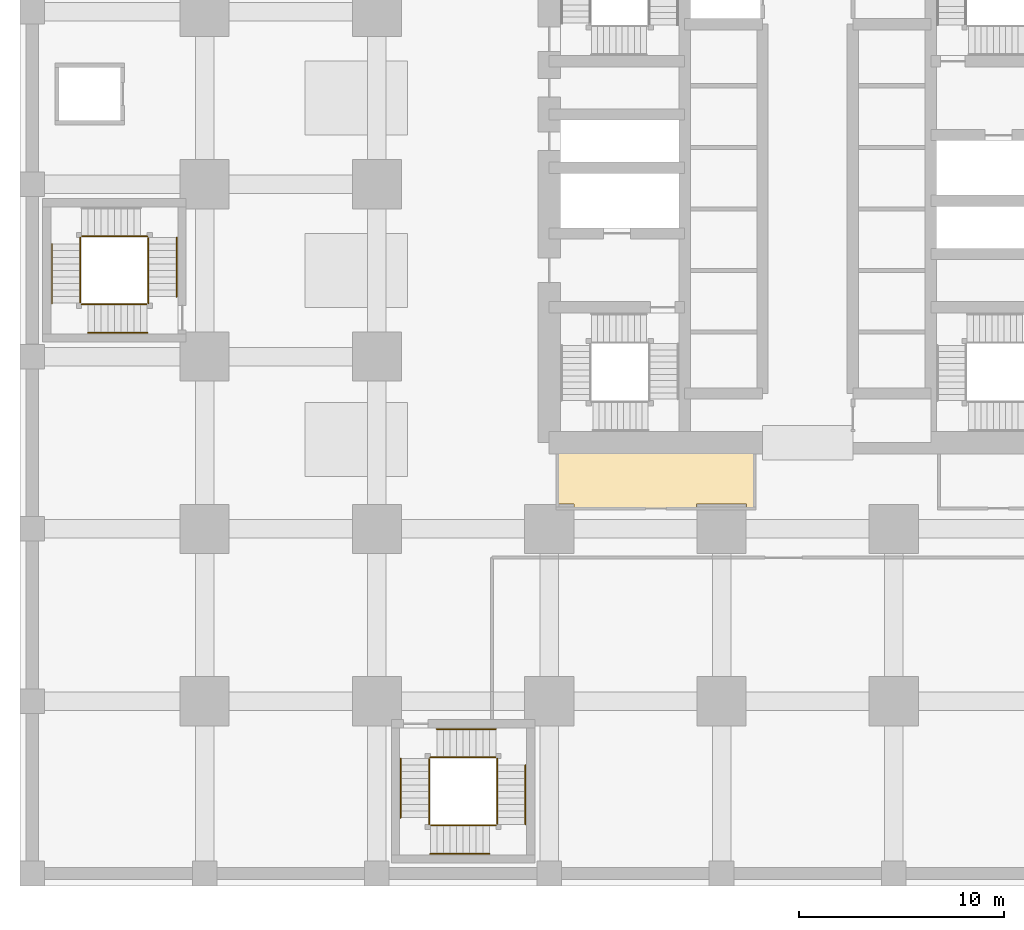
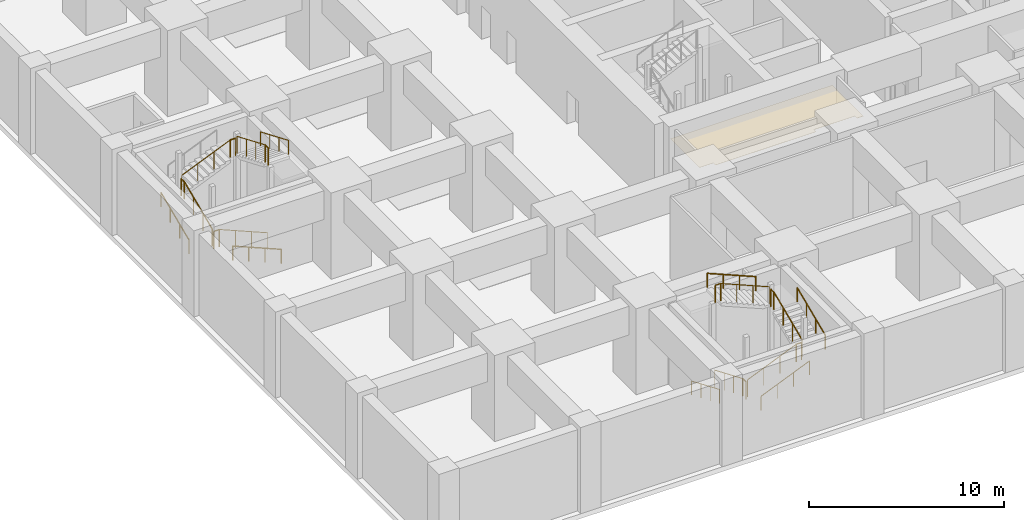
# One storey, part 13 of 20: 23 railings, 1 covering.
"""IFC4 building model written with IfcOpenShell, lengths in metres."""

import ifcopenshell
import ifcopenshell.guid

model = None  # the IFC model being written
_history = None  # IfcOwnerHistory: only IFC2X3 demands one
_inside = {}  # id of a spatial element -> (the spatial element, [elements in it])
_under = {}  # id of a project, library or spatial element -> (it, [spatial elements below it])
_declared = {}  # id of a project -> (the project, [libraries it declares])
_typed = {}  # id of a type object -> (the type object, [elements of that type])
_made_of = {}  # id of a material, layer set ... -> (it, [elements and type objects made of it])


def new_model(schema):
    """Start an empty IFC model of exactly this schema.

    Asked for "IFC4X3", IfcOpenShell would pick the latest addendum, in which some entities
    have other attributes; the version numbers below select the first issue.
    IFC2X3 requires an IfcOwnerHistory on every rooted entity: one is made here for all.
    """
    global model, _history
    if schema == "IFC4X3":
        model = ifcopenshell.file(schema_version=(4, 3, 0, 0))
    else:
        model = ifcopenshell.file(schema=schema)
    _inside.clear()
    _under.clear()
    _declared.clear()
    _typed.clear()
    _made_of.clear()
    _history = None
    if model.schema == "IFC2X3":
        org = make("IfcOrganization", Name="unknown")
        user = make(
            "IfcPersonAndOrganization",
            ThePerson=make("IfcPerson", FamilyName="unknown"),
            TheOrganization=org,
        )
        app = make(
            "IfcApplication",
            ApplicationDeveloper=org,
            Version="unknown",
            ApplicationFullName="unknown",
            ApplicationIdentifier="unknown",
        )
        _history = make(
            "IfcOwnerHistory",
            OwningUser=user,
            OwningApplication=app,
            ChangeAction="ADDED",
            CreationDate=0,
        )
    return model


def make(cls, **values):
    """One entity of the class cls with the attributes given. An attribute that is None is left unset."""
    return model.create_entity(
        cls, **{name: value for name, value in values.items() if value is not None}
    )


def rooted(cls, **values):
    """An entity with a GlobalId (a new one), such as an element, a storey or a relation."""
    return make(cls, GlobalId=ifcopenshell.guid.new(), OwnerHistory=_history, **values)


def si_unit(unit_type, name, prefix=None):
    """IfcSIUnit, for example si_unit("LENGTHUNIT", "METRE", prefix="MILLI")."""
    return make("IfcSIUnit", UnitType=unit_type, Prefix=prefix, Name=name)


def assignment(units):
    """IfcUnitAssignment: the units of a project."""
    return None if units is None else make("IfcUnitAssignment", Units=units)


def point(xyz):
    """IfcCartesianPoint."""
    return None if xyz is None else make("IfcCartesianPoint", Coordinates=xyz)


def direction(xyz):
    """IfcDirection."""
    return None if xyz is None else make("IfcDirection", DirectionRatios=xyz)


def frame(location, z_axis=None, x_axis=None):
    """IfcAxis2Placement3D, a coordinate frame: its origin and axes. An axis left out is left unset."""
    return make(
        "IfcAxis2Placement3D",
        Location=point(location),
        Axis=direction(z_axis),
        RefDirection=direction(x_axis),
    )


def frame_2d(location, x_axis=None):
    """IfcAxis2Placement2D, a coordinate frame in the plane: its origin and x axis."""
    return make(
        "IfcAxis2Placement2D", Location=point(location), RefDirection=direction(x_axis)
    )


def origin():
    """The frame at (0, 0, 0) with its axes left unset."""
    return frame((0.0, 0.0, 0.0))


def origin_2d():
    """The frame at (0, 0) in the plane with its x axis left unset."""
    return frame_2d((0.0, 0.0))


def place(relative_to, where):
    """IfcLocalPlacement: puts the frame where relative to a parent placement (None: the world)."""
    return make(
        "IfcLocalPlacement", PlacementRelTo=relative_to, RelativePlacement=where
    )


def context(
    kind, dimensions, precision=None, world=None, true_north=None, identifier=None
):
    """IfcGeometricRepresentationContext, for example the 3D "Model" context."""
    return make(
        "IfcGeometricRepresentationContext",
        ContextIdentifier=identifier,
        ContextType=kind,
        CoordinateSpaceDimension=dimensions,
        Precision=precision,
        WorldCoordinateSystem=world,
        TrueNorth=true_north,
    )


def subcontext(parent, identifier, kind, view, scale=None):
    """IfcGeometricRepresentationSubContext, for example "Body" below "Model"."""
    return make(
        "IfcGeometricRepresentationSubContext",
        ContextIdentifier=identifier,
        ContextType=kind,
        ParentContext=parent,
        TargetScale=scale,
        TargetView=view,
    )


def project(units=None, contexts=None):
    """IfcProject with its units and contexts."""
    return rooted(
        "IfcProject",
        Name="project",
        RepresentationContexts=contexts,
        UnitsInContext=assignment(units),
    )


def spatial(cls, under=None, at=None, **own):
    """A site, building, storey or space (cls), placed at a placement, below another one or the project."""
    s = rooted(cls, ObjectPlacement=at, **own)
    if under is not None:
        _under.setdefault(under.id(), (under, []))[1].append(s)
    return s


def polyline(points):
    """IfcPolyline through the points."""
    return make("IfcPolyline", Points=[point(p) for p in points])


def profile(cls, at=None, kind="AREA", **sizes):
    """A parametric profile (cls). Its sizes go by their IFC names, for example OverallWidth=200.0."""
    return make(cls, ProfileType=kind, Position=at, **sizes)


def circle(**sizes):
    """IfcCircleProfileDef."""
    return profile("IfcCircleProfileDef", **sizes)


def outline(outer, holes=None, kind="AREA"):
    """IfcArbitraryClosedProfileDef: a profile drawn as a closed curve; with holes, ...WithVoids."""
    if holes is None:
        return make("IfcArbitraryClosedProfileDef", ProfileType=kind, OuterCurve=outer)
    return make(
        "IfcArbitraryProfileDefWithVoids",
        ProfileType=kind,
        OuterCurve=outer,
        InnerCurves=holes,
    )


def extrude(swept, where, along, depth):
    """IfcExtrudedAreaSolid: the profile swept, set in the frame where, extruded along a direction by depth."""
    return make(
        "IfcExtrudedAreaSolid",
        SweptArea=swept,
        Position=where,
        ExtrudedDirection=direction(along),
        Depth=depth,
    )


def shape(context_of_items, identifier, shape_type, items):
    """IfcShapeRepresentation: the items that make up one representation, for example the "Body"."""
    return make(
        "IfcShapeRepresentation",
        ContextOfItems=context_of_items,
        RepresentationIdentifier=identifier,
        RepresentationType=shape_type,
        Items=items,
    )


def material(Name=None, Category=None):
    """IfcMaterial."""
    return make("IfcMaterial", Name=Name, Category=Category)


def layer(
    of_material, thickness, ventilated=None, Name=None, Category=None, Priority=None
):
    """IfcMaterialLayer: one layer of a wall or slab, of a material (None: an air gap)."""
    return make(
        "IfcMaterialLayer",
        Material=of_material,
        LayerThickness=thickness,
        IsVentilated=ventilated,
        Name=Name,
        Category=Category,
        Priority=Priority,
    )


def layer_set(layers, Name=None):
    """IfcMaterialLayerSet."""
    return make("IfcMaterialLayerSet", MaterialLayers=layers, LayerSetName=Name)


def made_of(thing, what):
    """Note that an element or type object is made of a material, layer set ...; save() writes the relation."""
    if what is not None:
        _made_of.setdefault(what.id(), (what, []))[1].append(thing)
    return thing


def type_object(cls, material=None, **own):
    """A type object (cls), such as IfcWallType, which elements share."""
    return made_of(rooted(cls, **own), material)


def element(
    cls,
    number,
    at=None,
    inside=None,
    cuts=None,
    type_object=None,
    material=None,
    context=None,
    identifier="Body",
    shape_type=None,
    held_by="IfcProductDefinitionShape",
    body=None,
    shapes=None,
    **own,
):
    """One element of the class cls, such as IfcWall. Its Tag is "e" and its number.

    at: its placement. inside: the storey or other place that contains it. cuts: it is an
    opening in that element (IfcRelVoidsElement). A single representation is given by context,
    identifier, shape_type and body (its items); several are given by shapes. held_by: the class
    of the entity that holds the representations. save() writes the other relations.
    """
    e = rooted(cls, Tag="e%d" % number, ObjectPlacement=at, **own)
    if body is not None:
        shapes = [shape(context, identifier, shape_type, body)]
    if shapes is not None:
        e.Representation = make(held_by, Representations=shapes)
    if inside is not None:
        _inside.setdefault(inside.id(), (inside, []))[1].append(e)
    if cuts is not None:
        rooted(
            "IfcRelVoidsElement", RelatingBuildingElement=cuts, RelatedOpeningElement=e
        )
    if type_object is not None:
        _typed.setdefault(type_object.id(), (type_object, []))[1].append(e)
    return made_of(e, material)


def aggregate(whole, parts):
    """IfcRelAggregates: a whole, such as a stair, and the parts it consists of."""
    return rooted("IfcRelAggregates", RelatingObject=whole, RelatedObjects=parts)


def save(model, path):
    """Write the relations noted so far, then the file.

    IfcRelAggregates (storeys below a building ...), IfcRelContainedInSpatialStructure (elements
    in a storey), IfcRelDefinesByType, IfcRelAssociatesMaterial and IfcRelDeclares: one each for
    every whole, place, type object, material and project.
    """
    for whole, parts in _under.values():
        aggregate(whole, parts)
    for where, things in _inside.values():
        rooted(
            "IfcRelContainedInSpatialStructure",
            RelatedElements=things,
            RelatingStructure=where,
        )
    for kind, things in _typed.values():
        rooted("IfcRelDefinesByType", RelatedObjects=things, RelatingType=kind)
    for what, things in _made_of.values():
        rooted("IfcRelAssociatesMaterial", RelatedObjects=things, RelatingMaterial=what)
    for by, libraries in _declared.values():
        rooted("IfcRelDeclares", RelatingContext=by, RelatedDefinitions=libraries)
    model.write(path)


model = new_model("IFC4")

# Units and contexts
model_context = context("Model", 3, precision=1e-05, world=origin(), true_north=direction((0.0, 1.0)))
body_context = subcontext(model_context, "Body", "Model", "MODEL_VIEW")
ifc_project = project(units=[si_unit("LENGTHUNIT", "METRE"), si_unit("AREAUNIT", "SQUARE_METRE"), si_unit("VOLUMEUNIT", "CUBIC_METRE"), si_unit("PLANEANGLEUNIT", "RADIAN"), si_unit("MASSUNIT", "GRAM", prefix="KILO")], contexts=[model_context])

# Site, building, storey
site_placement = place(None, origin())
site = spatial("IfcSite", under=ifc_project, at=site_placement, CompositionType="ELEMENT")
building_placement = place(site_placement, origin())
building = spatial("IfcBuilding", under=site, at=building_placement, Name="Rekha Terrace Tower", CompositionType="ELEMENT")
storey_placement = place(building_placement, frame((0.0, 0.0, -5.39990234375)))
storey = spatial("IfcBuildingStorey", under=building, at=storey_placement, Name="B-01", CompositionType="ELEMENT", Elevation=-5.39990234375)

# Covering
ifc_material_1 = material(Name="Fibre cement board", Category="finish")
ifc_layer = layer(ifc_material_1, 0.014892578125)
ifc_layer_set = layer_set([ifc_layer], Name="Fibre cement board")
covering_type = type_object("IfcCoveringType", Name="CL2 moisture-resistant board ceiling", PredefinedType="CEILING", material=ifc_layer_set)
covering_placement = place(storey_placement, frame((0.0, 0.0, 4.184814453125)))
element("IfcCovering", 1, at=covering_placement, inside=storey, type_object=covering_type, Name="Ceiling B-01-WCM", PredefinedType="CEILING", context=body_context, shape_type="SweptSolid", body=[
    extrude(outline(polyline([(35.199951171875, 21.0), (25.60009765625, 21.0), (25.60009765625, 18.014892578125), (26.4150390625, 18.014892578125), (26.4150390625, 17.800048828125), (32.385009765625, 17.800048828125), (32.385009765625, 18.014892578125), (34.81494140625, 18.014892578125), (34.81494140625, 17.800048828125), (35.199951171875, 17.800048828125), (35.199951171875, 21.0)])), origin(), (0.0, 0.0, 1.0), 0.01513671875),
])

# Railings
ifc_material_2 = material(Name="Stainless steel balustrade", Category="steel")
railing_type_1 = type_object("IfcRailingType", Name="GR1 1100 stair guard", PredefinedType="GUARDRAIL", material=ifc_material_2)
railing_1_placement = place(storey_placement, frame((5.60009765625, 27.739990234375, 0.135009765625)))
element("IfcRailing", 2, at=railing_1_placement, inside=storey, type_object=railing_type_1, Name="Guard SP1 B-01 flight 1", PredefinedType="GUARDRAIL", context=body_context, shape_type="SweptSolid", body=[
    extrude(circle(Radius=0.02392578125, at=origin_2d()), frame((0.0, 0.0, 1.076171875), z_axis=(-0.9213881973, 0.0, 0.388643525453), x_axis=(0.0, -1.0, 0.0)), (0.0, 0.0, 1.0), 3.1259765625),
    extrude(circle(Radius=0.02099609375, at=origin_2d()), origin(), (0.0, 0.0, 1.0), 1.052001953125),
    extrude(circle(Radius=0.02099609375, at=origin_2d()), frame((-0.9599609375, 0.0, 0.405029296875)), (0.0, 0.0, 1.0), 1.052001953125),
    extrude(circle(Radius=0.02099609375, at=origin_2d()), frame((-1.920166015625, 0.0, 0.809814453125)), (0.0, 0.0, 1.0), 1.052001953125),
    extrude(circle(Radius=0.02099609375, at=origin_2d()), frame((-2.880126953125, 0.0, 1.21484375)), (0.0, 0.0, 1.0), 1.052001953125),
])
railing_2_placement = place(storey_placement, frame((2.340087890625, 27.800048828125, 1.48486328125)))
element("IfcRailing", 3, at=railing_2_placement, inside=storey, type_object=railing_type_1, Name="Guard SP1 B-01 flight 2", PredefinedType="GUARDRAIL", context=body_context, shape_type="SweptSolid", body=[
    extrude(circle(Radius=0.02392578125, at=origin_2d()), frame((0.0, 0.0, 1.076171875), z_axis=(0.0, 0.921348425517, 0.388737802119), x_axis=(-1.0, 0.0, 0.0)), (0.0, 0.0, 1.0), 3.125732421875),
    extrude(circle(Radius=0.02099609375, at=origin_2d()), origin(), (0.0, 0.0, 1.0), 1.052001953125),
    extrude(circle(Radius=0.02099609375, at=origin_2d()), frame((0.0, 0.9599609375, 0.405029296875)), (0.0, 0.0, 1.0), 1.052001953125),
    extrude(circle(Radius=0.02099609375, at=origin_2d()), frame((0.0, 1.919921875, 0.81005859375)), (0.0, 0.0, 1.0), 1.052001953125),
    extrude(circle(Radius=0.02099609375, at=origin_2d()), frame((0.0, 2.8798828125, 1.215087890625)), (0.0, 0.0, 1.0), 1.052001953125),
])
railing_3_placement = place(storey_placement, frame((2.39990234375, 31.06005859375, 2.8349609375)))
element("IfcRailing", 4, at=railing_3_placement, inside=storey, type_object=railing_type_1, Name="Guard SP1 B-01 flight 3", PredefinedType="GUARDRAIL", context=body_context, shape_type="SweptSolid", body=[
    extrude(circle(Radius=0.02392578125, at=origin_2d()), frame((0.0, 0.0, 1.076171875), z_axis=(0.9213881973, 0.0, 0.388643525453), x_axis=(0.0, 1.0, 0.0)), (0.0, 0.0, 1.0), 3.1259765625),
    extrude(circle(Radius=0.02099609375, at=origin_2d()), origin(), (0.0, 0.0, 1.0), 1.052001953125),
    extrude(circle(Radius=0.02099609375, at=origin_2d()), frame((0.9599609375, 0.0, 0.405029296875)), (0.0, 0.0, 1.0), 1.052001953125),
    extrude(circle(Radius=0.02099609375, at=origin_2d()), frame((1.920166015625, 0.0, 0.809814453125)), (0.0, 0.0, 1.0), 1.052001953125),
    extrude(circle(Radius=0.02099609375, at=origin_2d()), frame((2.880126953125, 0.0, 1.21484375)), (0.0, 0.0, 1.0), 1.052001953125),
])
railing_4_placement = place(storey_placement, frame((5.659912109375, 31.0, 4.184814453125)))
element("IfcRailing", 5, at=railing_4_placement, inside=storey, type_object=railing_type_1, Name="Guard SP1 B-01 flight 4", PredefinedType="GUARDRAIL", context=body_context, shape_type="SweptSolid", body=[
    extrude(circle(Radius=0.02392578125, at=origin_2d()), frame((0.0, 0.0, 1.076171875), z_axis=(0.0, -0.921348425517, 0.388737802119), x_axis=(1.0, 0.0, 0.0)), (0.0, 0.0, 1.0), 3.125732421875),
    extrude(circle(Radius=0.02099609375, at=origin_2d()), origin(), (0.0, 0.0, 1.0), 1.052001953125),
    extrude(circle(Radius=0.02099609375, at=origin_2d()), frame((0.0, -0.9599609375, 0.405029296875)), (0.0, 0.0, 1.0), 1.052001953125),
    extrude(circle(Radius=0.02099609375, at=origin_2d()), frame((0.0, -1.919921875, 0.81005859375)), (0.0, 0.0, 1.0), 1.052001953125),
    extrude(circle(Radius=0.02099609375, at=origin_2d()), frame((0.0, -2.8798828125, 1.215087890625)), (0.0, 0.0, 1.0), 1.052001953125),
])
railing_5_placement = place(storey_placement, frame((2.719970703125, 27.739990234375, 1.349853515625)))
element("IfcRailing", 6, at=railing_5_placement, inside=storey, type_object=railing_type_1, Name="Guard SP1 B-01 landing 1", PredefinedType="GUARDRAIL", context=body_context, shape_type="SweptSolid", body=[
    extrude(circle(Radius=0.02392578125, at=origin_2d()), frame((0.0, 0.0, 1.076171875), z_axis=(-1.0, 0.0, 0.0), x_axis=(0.0, -1.0, 0.0)), (0.0, 0.0, 1.0), 0.320068359375),
    extrude(circle(Radius=0.02099609375, at=origin_2d()), origin(), (0.0, 0.0, 1.0), 1.052001953125),
    extrude(circle(Radius=0.02099609375, at=origin_2d()), frame((-0.320068359375, 0.0, 0.0)), (0.0, 0.0, 1.0), 1.052001953125),
])
railing_6_placement = place(storey_placement, frame((2.340087890625, 30.679931640625, 2.699951171875)))
element("IfcRailing", 7, at=railing_6_placement, inside=storey, type_object=railing_type_1, Name="Guard SP1 B-01 landing 2", PredefinedType="GUARDRAIL", context=body_context, shape_type="SweptSolid", body=[
    extrude(circle(Radius=0.02392578125, at=origin_2d()), frame((0.0, 0.0, 1.076171875), z_axis=(0.0, 1.0, 0.0), x_axis=(-1.0, 0.0, 0.0)), (0.0, 0.0, 1.0), 0.320068359375),
    extrude(circle(Radius=0.02099609375, at=origin_2d()), origin(), (0.0, 0.0, 1.0), 1.052001953125),
    extrude(circle(Radius=0.02099609375, at=origin_2d()), frame((0.0, 0.320068359375, 0.0)), (0.0, 0.0, 1.0), 1.052001953125),
])
railing_7_placement = place(storey_placement, frame((5.60009765625, 31.06005859375, 4.0498046875)))
element("IfcRailing", 8, at=railing_7_placement, inside=storey, type_object=railing_type_1, Name="Guard SP1 B-01 landing 3", PredefinedType="GUARDRAIL", context=body_context, shape_type="SweptSolid", body=[
    extrude(circle(Radius=0.02392578125, at=origin_2d()), frame((0.0, 0.0, 1.076171875), z_axis=(-1.0, 0.0, 0.0), x_axis=(0.0, -1.0, 0.0)), (0.0, 0.0, 1.0), 0.320068359375),
    extrude(circle(Radius=0.02099609375, at=origin_2d()), origin(), (0.0, 0.0, 1.0), 1.052001953125),
    extrude(circle(Radius=0.02099609375, at=origin_2d()), frame((-0.320068359375, 0.0, 0.0)), (0.0, 0.0, 1.0), 1.052001953125),
])
railing_8_placement = place(storey_placement, frame((5.659912109375, 27.800048828125, 5.39990234375)))
element("IfcRailing", 9, at=railing_8_placement, inside=storey, type_object=railing_type_1, Name="Guard SP1 B-01 landing 4", PredefinedType="GUARDRAIL", context=body_context, shape_type="SweptSolid", body=[
    extrude(circle(Radius=0.02392578125, at=origin_2d()), frame((0.0, 0.0, 1.076171875), z_axis=(0.0, 1.0, 0.0), x_axis=(-1.0, 0.0, 0.0)), (0.0, 0.0, 1.0), 0.320068359375),
    extrude(circle(Radius=0.02099609375, at=origin_2d()), origin(), (0.0, 0.0, 1.0), 1.052001953125),
    extrude(circle(Radius=0.02099609375, at=origin_2d()), frame((0.0, 0.320068359375, 0.0)), (0.0, 0.0, 1.0), 1.052001953125),
])
railing_9_placement = place(storey_placement, frame((19.340087890625, 5.60009765625, 0.135009765625)))
element("IfcRailing", 10, at=railing_9_placement, inside=storey, type_object=railing_type_1, Name="Guard SP3 B-01 flight 1", PredefinedType="GUARDRAIL", context=body_context, shape_type="SweptSolid", body=[
    extrude(circle(Radius=0.02392578125, at=origin_2d()), frame((0.0, 0.0, 1.076171875), z_axis=(0.0, -0.9213881973, 0.388643525453), x_axis=(1.0, 0.0, 0.0)), (0.0, 0.0, 1.0), 3.1259765625),
    extrude(circle(Radius=0.02099609375, at=origin_2d()), origin(), (0.0, 0.0, 1.0), 1.052001953125),
    extrude(circle(Radius=0.02099609375, at=origin_2d()), frame((0.0, -0.9599609375, 0.405029296875)), (0.0, 0.0, 1.0), 1.052001953125),
    extrude(circle(Radius=0.02099609375, at=origin_2d()), frame((0.0, -1.920166015625, 0.809814453125)), (0.0, 0.0, 1.0), 1.052001953125),
    extrude(circle(Radius=0.02099609375, at=origin_2d()), frame((0.0, -2.880126953125, 1.21484375)), (0.0, 0.0, 1.0), 1.052001953125),
])
railing_10_placement = place(storey_placement, frame((19.39990234375, 2.340087890625, 1.48486328125)))
element("IfcRailing", 11, at=railing_10_placement, inside=storey, type_object=railing_type_1, Name="Guard SP3 B-01 flight 2", PredefinedType="GUARDRAIL", context=body_context, shape_type="SweptSolid", body=[
    extrude(circle(Radius=0.02392578125, at=origin_2d()), frame((0.0, 0.0, 1.076171875), z_axis=(0.921360227523, 0.0, 0.388709828972), x_axis=(0.0, 1.0, 0.0)), (0.0, 0.0, 1.0), 3.1259765625),
    extrude(circle(Radius=0.02099609375, at=origin_2d()), origin(), (0.0, 0.0, 1.0), 1.052001953125),
    extrude(circle(Radius=0.02099609375, at=origin_2d()), frame((0.9599609375, 0.0, 0.405029296875)), (0.0, 0.0, 1.0), 1.052001953125),
    extrude(circle(Radius=0.02099609375, at=origin_2d()), frame((1.920166015625, 0.0, 0.81005859375)), (0.0, 0.0, 1.0), 1.052001953125),
    extrude(circle(Radius=0.02099609375, at=origin_2d()), frame((2.880126953125, 0.0, 1.215087890625)), (0.0, 0.0, 1.0), 1.052001953125),
])
railing_11_placement = place(storey_placement, frame((22.659912109375, 2.39990234375, 2.8349609375)))
element("IfcRailing", 12, at=railing_11_placement, inside=storey, type_object=railing_type_1, Name="Guard SP3 B-01 flight 3", PredefinedType="GUARDRAIL", context=body_context, shape_type="SweptSolid", body=[
    extrude(circle(Radius=0.02392578125, at=origin_2d()), frame((0.0, 0.0, 1.076171875), z_axis=(0.0, 0.9213881973, 0.388643525453), x_axis=(-1.0, 0.0, 0.0)), (0.0, 0.0, 1.0), 3.1259765625),
    extrude(circle(Radius=0.02099609375, at=origin_2d()), origin(), (0.0, 0.0, 1.0), 1.052001953125),
    extrude(circle(Radius=0.02099609375, at=origin_2d()), frame((0.0, 0.9599609375, 0.405029296875)), (0.0, 0.0, 1.0), 1.052001953125),
    extrude(circle(Radius=0.02099609375, at=origin_2d()), frame((0.0, 1.920166015625, 0.809814453125)), (0.0, 0.0, 1.0), 1.052001953125),
    extrude(circle(Radius=0.02099609375, at=origin_2d()), frame((0.0, 2.880126953125, 1.21484375)), (0.0, 0.0, 1.0), 1.052001953125),
])
railing_12_placement = place(storey_placement, frame((22.60009765625, 5.659912109375, 4.184814453125)))
element("IfcRailing", 13, at=railing_12_placement, inside=storey, type_object=railing_type_1, Name="Guard SP3 B-01 flight 4", PredefinedType="GUARDRAIL", context=body_context, shape_type="SweptSolid", body=[
    extrude(circle(Radius=0.02392578125, at=origin_2d()), frame((0.0, 0.0, 1.076171875), z_axis=(-0.921360227523, 0.0, 0.388709828972), x_axis=(0.0, -1.0, 0.0)), (0.0, 0.0, 1.0), 3.1259765625),
    extrude(circle(Radius=0.02099609375, at=origin_2d()), origin(), (0.0, 0.0, 1.0), 1.052001953125),
    extrude(circle(Radius=0.02099609375, at=origin_2d()), frame((-0.9599609375, 0.0, 0.405029296875)), (0.0, 0.0, 1.0), 1.052001953125),
    extrude(circle(Radius=0.02099609375, at=origin_2d()), frame((-1.920166015625, 0.0, 0.81005859375)), (0.0, 0.0, 1.0), 1.052001953125),
    extrude(circle(Radius=0.02099609375, at=origin_2d()), frame((-2.880126953125, 0.0, 1.215087890625)), (0.0, 0.0, 1.0), 1.052001953125),
])
railing_13_placement = place(storey_placement, frame((19.340087890625, 2.719970703125, 1.349853515625)))
element("IfcRailing", 14, at=railing_13_placement, inside=storey, type_object=railing_type_1, Name="Guard SP3 B-01 landing 1", PredefinedType="GUARDRAIL", context=body_context, shape_type="SweptSolid", body=[
    extrude(circle(Radius=0.02392578125, at=origin_2d()), frame((0.0, 0.0, 1.076171875), z_axis=(0.0, -1.0, 0.0), x_axis=(1.0, 0.0, 0.0)), (0.0, 0.0, 1.0), 0.320068359375),
    extrude(circle(Radius=0.02099609375, at=origin_2d()), origin(), (0.0, 0.0, 1.0), 1.052001953125),
    extrude(circle(Radius=0.02099609375, at=origin_2d()), frame((0.0, -0.320068359375, 0.0)), (0.0, 0.0, 1.0), 1.052001953125),
])
railing_14_placement = place(storey_placement, frame((22.280029296875, 2.340087890625, 2.699951171875)))
element("IfcRailing", 15, at=railing_14_placement, inside=storey, type_object=railing_type_1, Name="Guard SP3 B-01 landing 2", PredefinedType="GUARDRAIL", context=body_context, shape_type="SweptSolid", body=[
    extrude(circle(Radius=0.02392578125, at=origin_2d()), frame((0.0, 0.0, 1.076171875), z_axis=(1.0, 0.0, 0.0), x_axis=(0.0, 1.0, 0.0)), (0.0, 0.0, 1.0), 0.320068359375),
    extrude(circle(Radius=0.02099609375, at=origin_2d()), origin(), (0.0, 0.0, 1.0), 1.052001953125),
    extrude(circle(Radius=0.02099609375, at=origin_2d()), frame((0.320068359375, 0.0, 0.0)), (0.0, 0.0, 1.0), 1.052001953125),
])
railing_15_placement = place(storey_placement, frame((22.659912109375, 5.60009765625, 4.0498046875)))
element("IfcRailing", 16, at=railing_15_placement, inside=storey, type_object=railing_type_1, Name="Guard SP3 B-01 landing 3", PredefinedType="GUARDRAIL", context=body_context, shape_type="SweptSolid", body=[
    extrude(circle(Radius=0.02392578125, at=origin_2d()), frame((0.0, 0.0, 1.076171875), z_axis=(0.0, -1.0, 0.0), x_axis=(1.0, 0.0, 0.0)), (0.0, 0.0, 1.0), 0.320068359375),
    extrude(circle(Radius=0.02099609375, at=origin_2d()), origin(), (0.0, 0.0, 1.0), 1.052001953125),
    extrude(circle(Radius=0.02099609375, at=origin_2d()), frame((0.0, -0.320068359375, 0.0)), (0.0, 0.0, 1.0), 1.052001953125),
])
railing_16_placement = place(storey_placement, frame((19.39990234375, 5.659912109375, 5.39990234375)))
element("IfcRailing", 17, at=railing_16_placement, inside=storey, type_object=railing_type_1, Name="Guard SP3 B-01 landing 4", PredefinedType="GUARDRAIL", context=body_context, shape_type="SweptSolid", body=[
    extrude(circle(Radius=0.02392578125, at=origin_2d()), frame((0.0, 0.0, 1.076171875), z_axis=(1.0, 0.0, 0.0), x_axis=(0.0, 1.0, 0.0)), (0.0, 0.0, 1.0), 0.320068359375),
    extrude(circle(Radius=0.02099609375, at=origin_2d()), origin(), (0.0, 0.0, 1.0), 1.052001953125),
    extrude(circle(Radius=0.02099609375, at=origin_2d()), frame((0.320068359375, 0.0, 0.0)), (0.0, 0.0, 1.0), 1.052001953125),
])
ifc_material_3 = material(Name="Stainless steel tube", Category="steel")
railing_type_2 = type_object("IfcRailingType", Name="HR1 900 stair handrail", PredefinedType="HANDRAIL", material=ifc_material_3)
railing_17_placement = place(storey_placement, frame((5.60009765625, 26.360107421875, 0.135009765625)))
element("IfcRailing", 18, at=railing_17_placement, inside=storey, type_object=railing_type_2, Name="Handrail SP1 B-01 flight 1", PredefinedType="HANDRAIL", context=body_context, shape_type="SweptSolid", body=[
    extrude(circle(Radius=0.02392578125, at=origin_2d()), frame((0.0, 0.0, 0.8759765625), z_axis=(-0.9213881973, 0.0, 0.388643525453), x_axis=(0.0, -1.0, 0.0)), (0.0, 0.0, 1.0), 3.1259765625),
    extrude(circle(Radius=0.02099609375, at=origin_2d()), origin(), (0.0, 0.0, 1.0), 0.851806640625),
    extrude(circle(Radius=0.02099609375, at=origin_2d()), frame((-0.9599609375, 0.0, 0.405029296875)), (0.0, 0.0, 1.0), 0.851806640625),
    extrude(circle(Radius=0.02099609375, at=origin_2d()), frame((-1.920166015625, 0.0, 0.809814453125)), (0.0, 0.0, 1.0), 0.851806640625),
    extrude(circle(Radius=0.02099609375, at=origin_2d()), frame((-2.880126953125, 0.0, 1.21484375)), (0.0, 0.0, 1.0), 0.851806640625),
])
railing_18_placement = place(storey_placement, frame((0.9599609375, 27.800048828125, 1.48486328125)))
element("IfcRailing", 19, at=railing_18_placement, inside=storey, type_object=railing_type_2, Name="Handrail SP1 B-01 flight 2", PredefinedType="HANDRAIL", context=body_context, shape_type="SweptSolid", body=[
    extrude(circle(Radius=0.02392578125, at=origin_2d()), frame((0.0, 0.0, 0.8759765625), z_axis=(0.0, 0.921348425517, 0.388737802119), x_axis=(-1.0, 0.0, 0.0)), (0.0, 0.0, 1.0), 3.125732421875),
    extrude(circle(Radius=0.02099609375, at=origin_2d()), origin(), (0.0, 0.0, 1.0), 0.851806640625),
    extrude(circle(Radius=0.02099609375, at=origin_2d()), frame((0.0, 0.9599609375, 0.405029296875)), (0.0, 0.0, 1.0), 0.851806640625),
    extrude(circle(Radius=0.02099609375, at=origin_2d()), frame((0.0, 1.919921875, 0.81005859375)), (0.0, 0.0, 1.0), 0.851806640625),
    extrude(circle(Radius=0.02099609375, at=origin_2d()), frame((0.0, 2.8798828125, 1.215087890625)), (0.0, 0.0, 1.0), 0.851806640625),
])
railing_19_placement = place(storey_placement, frame((7.0400390625, 31.0, 4.184814453125)))
element("IfcRailing", 20, at=railing_19_placement, inside=storey, type_object=railing_type_2, Name="Handrail SP1 B-01 flight 4", PredefinedType="HANDRAIL", context=body_context, shape_type="SweptSolid", body=[
    extrude(circle(Radius=0.02392578125, at=origin_2d()), frame((0.0, 0.0, 0.8759765625), z_axis=(0.0, -0.921348425517, 0.388737802119), x_axis=(1.0, 0.0, 0.0)), (0.0, 0.0, 1.0), 3.125732421875),
    extrude(circle(Radius=0.02099609375, at=origin_2d()), origin(), (0.0, 0.0, 1.0), 0.851806640625),
    extrude(circle(Radius=0.02099609375, at=origin_2d()), frame((0.0, -0.9599609375, 0.405029296875)), (0.0, 0.0, 1.0), 0.851806640625),
    extrude(circle(Radius=0.02099609375, at=origin_2d()), frame((0.0, -1.919921875, 0.81005859375)), (0.0, 0.0, 1.0), 0.851806640625),
    extrude(circle(Radius=0.02099609375, at=origin_2d()), frame((0.0, -2.8798828125, 1.215087890625)), (0.0, 0.0, 1.0), 0.851806640625),
])
railing_20_placement = place(storey_placement, frame((17.9599609375, 5.60009765625, 0.135009765625)))
element("IfcRailing", 21, at=railing_20_placement, inside=storey, type_object=railing_type_2, Name="Handrail SP3 B-01 flight 1", PredefinedType="HANDRAIL", context=body_context, shape_type="SweptSolid", body=[
    extrude(circle(Radius=0.02392578125, at=origin_2d()), frame((0.0, 0.0, 0.8759765625), z_axis=(0.0, -0.9213881973, 0.388643525453), x_axis=(1.0, 0.0, 0.0)), (0.0, 0.0, 1.0), 3.1259765625),
    extrude(circle(Radius=0.02099609375, at=origin_2d()), origin(), (0.0, 0.0, 1.0), 0.851806640625),
    extrude(circle(Radius=0.02099609375, at=origin_2d()), frame((0.0, -0.9599609375, 0.405029296875)), (0.0, 0.0, 1.0), 0.851806640625),
    extrude(circle(Radius=0.02099609375, at=origin_2d()), frame((0.0, -1.920166015625, 0.809814453125)), (0.0, 0.0, 1.0), 0.851806640625),
    extrude(circle(Radius=0.02099609375, at=origin_2d()), frame((0.0, -2.880126953125, 1.21484375)), (0.0, 0.0, 1.0), 0.851806640625),
])
railing_21_placement = place(storey_placement, frame((19.39990234375, 0.9599609375, 1.48486328125)))
element("IfcRailing", 22, at=railing_21_placement, inside=storey, type_object=railing_type_2, Name="Handrail SP3 B-01 flight 2", PredefinedType="HANDRAIL", context=body_context, shape_type="SweptSolid", body=[
    extrude(circle(Radius=0.02392578125, at=origin_2d()), frame((0.0, 0.0, 0.8759765625), z_axis=(0.921360227523, 0.0, 0.388709828972), x_axis=(0.0, 1.0, 0.0)), (0.0, 0.0, 1.0), 3.1259765625),
    extrude(circle(Radius=0.02099609375, at=origin_2d()), origin(), (0.0, 0.0, 1.0), 0.851806640625),
    extrude(circle(Radius=0.02099609375, at=origin_2d()), frame((0.9599609375, 0.0, 0.405029296875)), (0.0, 0.0, 1.0), 0.851806640625),
    extrude(circle(Radius=0.02099609375, at=origin_2d()), frame((1.920166015625, 0.0, 0.81005859375)), (0.0, 0.0, 1.0), 0.851806640625),
    extrude(circle(Radius=0.02099609375, at=origin_2d()), frame((2.880126953125, 0.0, 1.215087890625)), (0.0, 0.0, 1.0), 0.851806640625),
])
railing_22_placement = place(storey_placement, frame((24.0400390625, 2.39990234375, 2.8349609375)))
element("IfcRailing", 23, at=railing_22_placement, inside=storey, type_object=railing_type_2, Name="Handrail SP3 B-01 flight 3", PredefinedType="HANDRAIL", context=body_context, shape_type="SweptSolid", body=[
    extrude(circle(Radius=0.02392578125, at=origin_2d()), frame((0.0, 0.0, 0.8759765625), z_axis=(0.0, 0.9213881973, 0.388643525453), x_axis=(-1.0, 0.0, 0.0)), (0.0, 0.0, 1.0), 3.1259765625),
    extrude(circle(Radius=0.02099609375, at=origin_2d()), origin(), (0.0, 0.0, 1.0), 0.851806640625),
    extrude(circle(Radius=0.02099609375, at=origin_2d()), frame((0.0, 0.9599609375, 0.405029296875)), (0.0, 0.0, 1.0), 0.851806640625),
    extrude(circle(Radius=0.02099609375, at=origin_2d()), frame((0.0, 1.920166015625, 0.809814453125)), (0.0, 0.0, 1.0), 0.851806640625),
    extrude(circle(Radius=0.02099609375, at=origin_2d()), frame((0.0, 2.880126953125, 1.21484375)), (0.0, 0.0, 1.0), 0.851806640625),
])
railing_23_placement = place(storey_placement, frame((22.60009765625, 7.0400390625, 4.184814453125)))
element("IfcRailing", 24, at=railing_23_placement, inside=storey, type_object=railing_type_2, Name="Handrail SP3 B-01 flight 4", PredefinedType="HANDRAIL", context=body_context, shape_type="SweptSolid", body=[
    extrude(circle(Radius=0.02392578125, at=origin_2d()), frame((0.0, 0.0, 0.8759765625), z_axis=(-0.921360227523, 0.0, 0.388709828972), x_axis=(0.0, -1.0, 0.0)), (0.0, 0.0, 1.0), 3.1259765625),
    extrude(circle(Radius=0.02099609375, at=origin_2d()), origin(), (0.0, 0.0, 1.0), 0.851806640625),
    extrude(circle(Radius=0.02099609375, at=origin_2d()), frame((-0.9599609375, 0.0, 0.405029296875)), (0.0, 0.0, 1.0), 0.851806640625),
    extrude(circle(Radius=0.02099609375, at=origin_2d()), frame((-1.920166015625, 0.0, 0.81005859375)), (0.0, 0.0, 1.0), 0.851806640625),
    extrude(circle(Radius=0.02099609375, at=origin_2d()), frame((-2.880126953125, 0.0, 1.215087890625)), (0.0, 0.0, 1.0), 0.851806640625),
])

save(model, "model.ifc")
